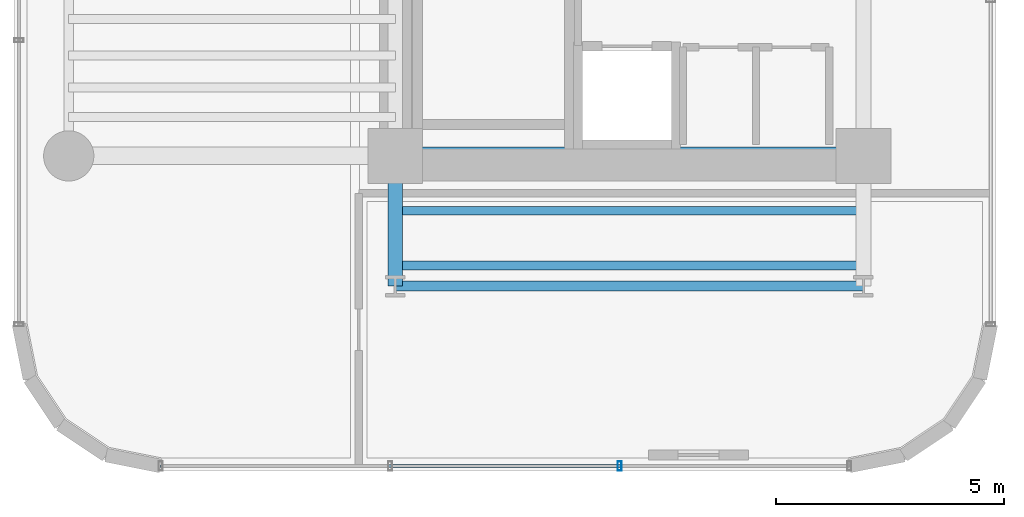
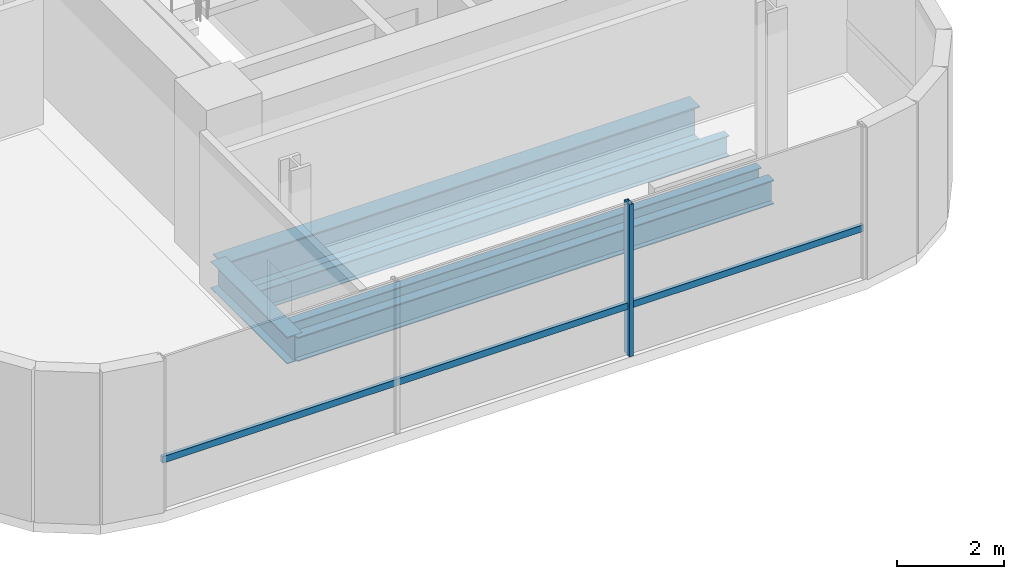
# One storey, part 3 of 35: 5 beams, 2 members, 1 element without a shape of its own.
"""IFC4 building model written with IfcOpenShell, lengths in metres."""

from ifc_helpers import new_model, si_unit, direction, frame, origin, origin_2d, place, context, subcontext, project, spatial, hollow_rectangle, i_section, extrude, source, transform, mapped, material, material_profile, profile_set, type_object, element, aggregate, save


model = new_model("IFC4")

# Units and contexts
model_context = context("Model", 3, precision=1e-05, world=origin(), true_north=direction((0.0, 1.0)))
body_context = subcontext(model_context, "Body", "Model", "MODEL_VIEW")
ifc_project = project(units=[si_unit("LENGTHUNIT", "METRE"), si_unit("AREAUNIT", "SQUARE_METRE"), si_unit("VOLUMEUNIT", "CUBIC_METRE"), si_unit("PLANEANGLEUNIT", "RADIAN"), si_unit("MASSUNIT", "GRAM", prefix="KILO")], contexts=[model_context])

# Site, building, storey
site_placement = place(None, origin())
site = spatial("IfcSite", under=ifc_project, at=site_placement, CompositionType="ELEMENT")
building_placement = place(site_placement, origin())
building = spatial("IfcBuilding", under=site, at=building_placement, Name="Valdorenza Pilgrim Sanctuary Tower", CompositionType="ELEMENT")
storey_placement = place(building_placement, frame((0.0, 0.0, 124.199951171875)))
storey = spatial("IfcBuildingStorey", under=building, at=storey_placement, Name="L31", CompositionType="ELEMENT", Elevation=124.199951171875)

# Beams
ifc_material_1 = material(Name="Steel ASTM A992 Grade 50", Category="steel")
ifc_material_profile_1 = material_profile(ifc_material_1, i_section(OverallWidth=0.214111328125, OverallDepth=0.549072265625, WebThickness=0.0146484375, FlangeThickness=0.023681640625, at=origin_2d()), Name="W21X93")
ifc_profile_set_1 = profile_set([ifc_material_profile_1], Name="Steel ASTM A992 Grade 50")
beam_type_1 = type_object("IfcBeamType", Name="STR-BM-SPN-W21A", PredefinedType="SPANDREL", material=ifc_profile_set_1)
shared_shape_1 = source(origin(), body_context, "Body", "SweptSolid", [
    extrude(i_section(OverallWidth=0.214111328125, OverallDepth=0.549072265625, WebThickness=0.0146484375, FlangeThickness=0.023681640625, at=origin_2d()), origin(), (0.0, 0.0, 1.0), 10.25),
])
beam_1_placement = place(storey_placement, frame((-22.64990234375, -13.449951171875, -0.514404296875), z_axis=(1.0, 0.0, 0.0), x_axis=(0.0, 1.0, 0.0)))
element("IfcBeam", 1, at=beam_1_placement, inside=storey, type_object=beam_type_1, Name="L31 South Spandrel WA-S-TIE", PredefinedType="SPANDREL", context=body_context, shape_type="MappedRepresentation", body=[
    mapped(shared_shape_1, transform((0.0, 0.0, 0.0), x_axis=(1.0, 0.0, 0.0), y_axis=(0.0, 1.0, 0.0), z_axis=(0.0, 0.0, 1.0), scale=1.0)),
])
ifc_material_profile_2 = material_profile(ifc_material_1, i_section(OverallWidth=0.323974609375, OverallDepth=0.611083984375, WebThickness=0.0126953125, FlangeThickness=0.01904296875, at=origin_2d()), Name="W24X104")
ifc_profile_set_2 = profile_set([ifc_material_profile_2], Name="Steel ASTM A992 Grade 50")
beam_type_2 = type_object("IfcBeamType", Name="STR-BM-GRD-W24B", PredefinedType="BEAM", material=ifc_profile_set_2)
shared_shape_2 = source(origin(), body_context, "Body", "SweptSolid", [
    extrude(i_section(OverallWidth=0.323974609375, OverallDepth=0.611083984375, WebThickness=0.0126953125, FlangeThickness=0.01904296875, at=origin_2d()), origin(), (0.0, 0.0, 1.0), 2.849853515625),
])
beam_2_placement = place(storey_placement, frame((-22.64990234375, -13.449951171875, -0.54541015625), z_axis=(0.0, 1.0, 0.0), x_axis=(-1.0, 0.0, 0.0)))
element("IfcBeam", 2, at=beam_2_placement, inside=storey, type_object=beam_type_2, Name="L31 Floor Girder WA-S-LW", PredefinedType="BEAM", context=body_context, shape_type="MappedRepresentation", body=[
    mapped(shared_shape_2, transform((0.0, 0.0, 0.0), x_axis=(1.0, 0.0, 0.0), y_axis=(0.0, 1.0, 0.0), z_axis=(0.0, 0.0, 1.0), scale=1.0)),
])
ifc_material_profile_3 = material_profile(ifc_material_1, i_section(OverallWidth=0.382080078125, OverallDepth=0.779052734375, WebThickness=0.01806640625, FlangeThickness=0.030029296875, at=origin_2d()), Name="W30X191")
ifc_profile_set_3 = profile_set([ifc_material_profile_3], Name="Steel ASTM A992 Grade 50")
beam_type_3 = type_object("IfcBeamType", Name="STR-BM-GRD-W30", PredefinedType="BEAM", material=ifc_profile_set_3)
shared_shape_3 = source(origin(), body_context, "Body", "SweptSolid", [
    extrude(i_section(OverallWidth=0.382080078125, OverallDepth=0.779052734375, WebThickness=0.01806640625, FlangeThickness=0.030029296875, at=origin_2d()), origin(), (0.0, 0.0, 1.0), 10.25),
])
beam_3_placement = place(storey_placement, frame((-22.64990234375, -10.60009765625, -0.62939453125), z_axis=(1.0, 0.0, 0.0), x_axis=(0.0, 1.0, 0.0)))
element("IfcBeam", 3, at=beam_3_placement, inside=storey, type_object=beam_type_3, Name="L31 Floor Girder CA-XC-S1", PredefinedType="BEAM", context=body_context, shape_type="MappedRepresentation", body=[
    mapped(shared_shape_3, transform((0.0, 0.0, 0.0), x_axis=(1.0, 0.0, 0.0), y_axis=(0.0, 1.0, 0.0), z_axis=(0.0, 0.0, 1.0), scale=1.0)),
])
ifc_material_profile_4 = material_profile(ifc_material_1, i_section(OverallWidth=0.19091796875, OverallDepth=0.45703125, WebThickness=0.009033203125, FlangeThickness=0.014404296875, at=origin_2d()), Name="W18X50")
ifc_profile_set_4 = profile_set([ifc_material_profile_4], Name="Steel ASTM A992 Grade 50")
beam_type_4 = type_object("IfcBeamType", Name="STR-BM-JST-W18B", PredefinedType="JOIST", material=ifc_profile_set_4)
shared_shape_4 = source(origin(), body_context, "Body", "SweptSolid", [
    extrude(i_section(OverallWidth=0.19091796875, OverallDepth=0.45703125, WebThickness=0.009033203125, FlangeThickness=0.014404296875, at=origin_2d()), origin(), (0.0, 0.0, 1.0), 10.25),
])
for number, where, z_axis, x_axis, name in (
    (4, (-22.64990234375, -13.0, -0.468505859375), (1.0, 0.0, 0.0), (0.0, 1.0, 0.0), "L31 Composite Floor Joist JST-WAS-1"),
    (5, (-22.64990234375, -11.800048828125, -0.468505859375), (1.0, 0.0, 0.0), (0.0, 1.0, 0.0), "L31 Composite Floor Joist JST-WAS-2"),
):
    element("IfcBeam", number, at=place(storey_placement, frame(where, z_axis=z_axis, x_axis=x_axis)), inside=storey, type_object=beam_type_4, Name=name, PredefinedType="JOIST", context=body_context, shape_type="MappedRepresentation", body=[
        mapped(shared_shape_4, transform((0.0, 0.0, 0.0), x_axis=(1.0, 0.0, 0.0), y_axis=(0.0, 1.0, 0.0), z_axis=(0.0, 0.0, 1.0), scale=1.0)),
    ])

# Curtain wall, members
ifc_material_2 = material(Name="Curtain-wall IGU glazing", Category="glass")
curtain_wall_type = type_object("IfcCurtainWallType", Name="CW-SYS-02", PredefinedType="NOTDEFINED", material=ifc_material_2)
curtain_wall_placement = place(storey_placement, origin())
curtain_wall = element("IfcCurtainWall", 6, at=curtain_wall_placement, inside=storey, type_object=curtain_wall_type, Name="L31 Curtain Wall CW-L31-1-46", PredefinedType="NOTDEFINED")
ifc_material_3 = material(Name="Anodised aluminium AW-6060", Category="aluminium")
ifc_material_profile_5 = material_profile(ifc_material_3, hollow_rectangle(XDim=0.0849609375, YDim=0.199951171875, WallThickness=0.0048828125, at=origin_2d()), Name="ALU-M 200x85x5")
ifc_profile_set_5 = profile_set([ifc_material_profile_5], Name="Anodised aluminium AW-6060")
member_type_1 = type_object("IfcMemberType", Name="CW-MUL-02", PredefinedType="MULLION", material=ifc_profile_set_5)
shared_shape_5 = source(origin(), body_context, "Body", "SweptSolid", [
    extrude(hollow_rectangle(XDim=0.0849609375, YDim=0.199951171875, WallThickness=0.0048828125, at=origin_2d()), origin(), (0.0, 0.0, 1.0), 3.4599609375),
])
member_1_placement = place(storey_placement, frame((-17.73681640625, -17.389892578125, 0.0), z_axis=(0.0, 0.0, 1.0), x_axis=(-1.0, 0.0, 0.0)))
member_1 = element("IfcMember", 7, at=member_1_placement, type_object=member_type_1, Name="CW-L31-1-46 Mullion 2", PredefinedType="MULLION", context=body_context, shape_type="MappedRepresentation", body=[
    mapped(shared_shape_5, transform((0.0, 0.0, 0.0), x_axis=(1.0, 0.0, 0.0), y_axis=(0.0, 1.0, 0.0), z_axis=(0.0, 0.0, 1.0), scale=1.0)),
])
ifc_material_profile_6 = material_profile(ifc_material_3, hollow_rectangle(XDim=0.074951171875, YDim=0.14990234375, WallThickness=0.00390625, at=origin_2d()), Name="ALU-T 150x75x4")
ifc_profile_set_6 = profile_set([ifc_material_profile_6], Name="Anodised aluminium AW-6060")
member_type_2 = type_object("IfcMemberType", Name="CW-TRN-02", PredefinedType="USERDEFINED", material=ifc_profile_set_6)
shared_shape_6 = source(origin(), body_context, "Body", "SweptSolid", [
    extrude(hollow_rectangle(XDim=0.074951171875, YDim=0.14990234375, WallThickness=0.00390625, at=origin_2d()), origin(), (0.0, 0.0, 1.0), 15.07861328125),
])
member_2_placement = place(storey_placement, frame((-12.710693359375, -17.389892578125, 1.1201171875), z_axis=(-1.0, 0.0, 0.0), x_axis=(0.0, -1.0, 0.0)))
member_2 = element("IfcMember", 8, at=member_2_placement, type_object=member_type_2, Name="CW-L31-1-46 Transom 1", ObjectType="TRANSOM", PredefinedType="USERDEFINED", context=body_context, shape_type="MappedRepresentation", body=[
    mapped(shared_shape_6, transform((0.0, 0.0, 0.0), x_axis=(1.0, 0.0, 0.0), y_axis=(0.0, 1.0, 0.0), z_axis=(0.0, 0.0, 1.0), scale=1.0)),
])
aggregate(curtain_wall, [member_1, member_2])

save(model, "model.ifc")
